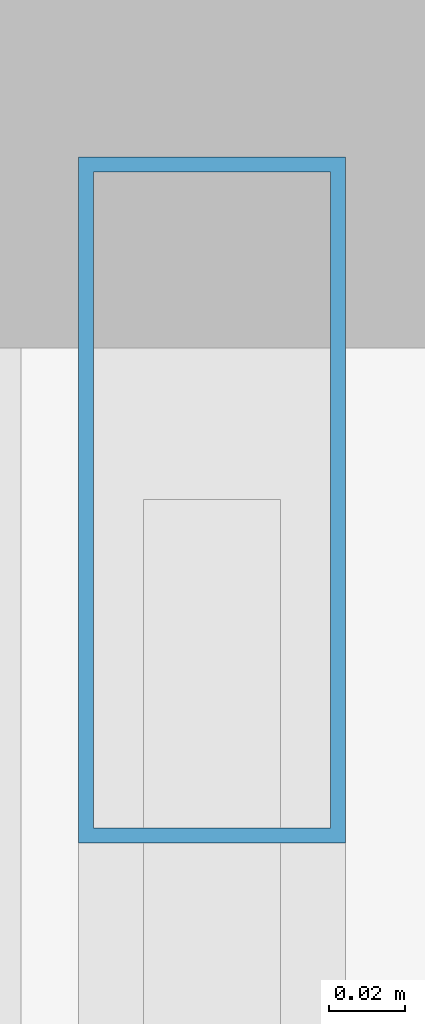
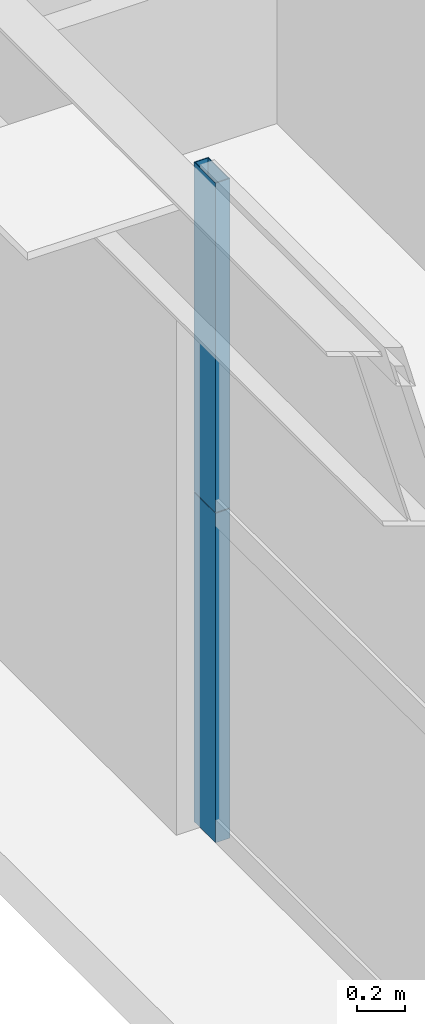
# One storey, part 23 of 43: 2 members, 1 element without a shape of its own.
"""IFC4 building model written with IfcOpenShell, lengths in metres."""

from ifc_helpers import new_model, si_unit, direction, frame, origin, origin_2d, place, context, subcontext, project, spatial, hollow_rectangle, extrude, source, transform, mapped, material, layer, layer_set, material_profile, profile_set, type_object, element, aggregate, save


model = new_model("IFC4")

# Units and contexts
model_context = context("Model", 3, precision=1e-05, world=origin(), true_north=direction((0.0, 1.0)))
body_context = subcontext(model_context, "Body", "Model", "MODEL_VIEW")
ifc_project = project(units=[si_unit("LENGTHUNIT", "METRE"), si_unit("AREAUNIT", "SQUARE_METRE"), si_unit("VOLUMEUNIT", "CUBIC_METRE"), si_unit("PLANEANGLEUNIT", "RADIAN"), si_unit("MASSUNIT", "GRAM", prefix="KILO"), si_unit("THERMODYNAMICTEMPERATUREUNIT", "KELVIN"), si_unit("POWERUNIT", "WATT")], contexts=[model_context])

# Site, building, storey
site_placement = place(None, origin())
site = spatial("IfcSite", under=ifc_project, at=site_placement, CompositionType="ELEMENT")
building_placement = place(site_placement, origin())
building = spatial("IfcBuilding", under=site, at=building_placement, Name="Yuzanri Waterfront Tower", CompositionType="ELEMENT")
storey_placement = place(building_placement, frame((0.0, 0.0, 71.199951171875)))
storey = spatial("IfcBuildingStorey", under=building, at=storey_placement, Name="L18", CompositionType="ELEMENT", Elevation=71.199951171875)

# Curtain wall, members
ifc_material_1 = material(Name="Anodized Architectural Bronze", Category="metal")
ifc_layer = layer(ifc_material_1, 0.159912109375)
ifc_layer_set = layer_set([ifc_layer], Name="Anodized Architectural Bronze")
curtain_wall_type = type_object("IfcCurtainWallType", Name="Anodized Bronze Hotel Lower-Tier Recessed Unitized Curtain Wall 8100", PredefinedType="NOTDEFINED", material=ifc_layer_set)
curtain_wall_placement = place(storey_placement, origin())
curtain_wall = element("IfcCurtainWall", 1, at=curtain_wall_placement, inside=storey, type_object=curtain_wall_type, Name="L18 Curtain Wall CW-L18-WR", PredefinedType="NOTDEFINED")
ifc_material_2 = material(Name="Anodized Architectural Bronze", Category="metal")
ifc_material_profile = material_profile(ifc_material_2, hollow_rectangle(XDim=0.070068359375, YDim=0.179931640625, WallThickness=0.00390625, at=origin_2d()), Name="CWM 70x180")
ifc_profile_set = profile_set([ifc_material_profile], Name="Anodized Architectural Bronze")
member_type = type_object("IfcMemberType", Name="Anodized Bronze Standard Curtain-Wall Mullion 70x180", PredefinedType="MULLION", material=ifc_profile_set)
shared_shape = source(origin(), body_context, "Body", "SweptSolid", [
    extrude(hollow_rectangle(XDim=0.070068359375, YDim=0.179931640625, WallThickness=0.00390625, at=origin_2d()), origin(), (0.0, 0.0, 1.0), 1.68798828125),
])
member_1_placement = place(storey_placement, frame((12.050048828125, 43.510009765625, 0.0), z_axis=(0.0, 0.0, 1.0), x_axis=(1.0, 0.0, 0.0)))
member_1 = element("IfcMember", 2, at=member_1_placement, type_object=member_type, Name="CW-L18-WR Lower Mullion 02", PredefinedType="MULLION", context=body_context, shape_type="MappedRepresentation", body=[
    mapped(shared_shape, transform((0.0, 0.0, 0.0), scale=1.0)),
])
member_2_placement = place(storey_placement, frame((12.050048828125, 43.510009765625, 1.692138671875), z_axis=(0.0, 0.0, 1.0), x_axis=(1.0, 0.0, 0.0)))
member_2 = element("IfcMember", 3, at=member_2_placement, type_object=member_type, Name="CW-L18-WR Upper Mullion 02", PredefinedType="MULLION", context=body_context, shape_type="MappedRepresentation", body=[
    mapped(shared_shape, transform((0.0, 0.0, 0.0), scale=1.0)),
])
aggregate(curtain_wall, [member_1, member_2])

save(model, "model.ifc")
